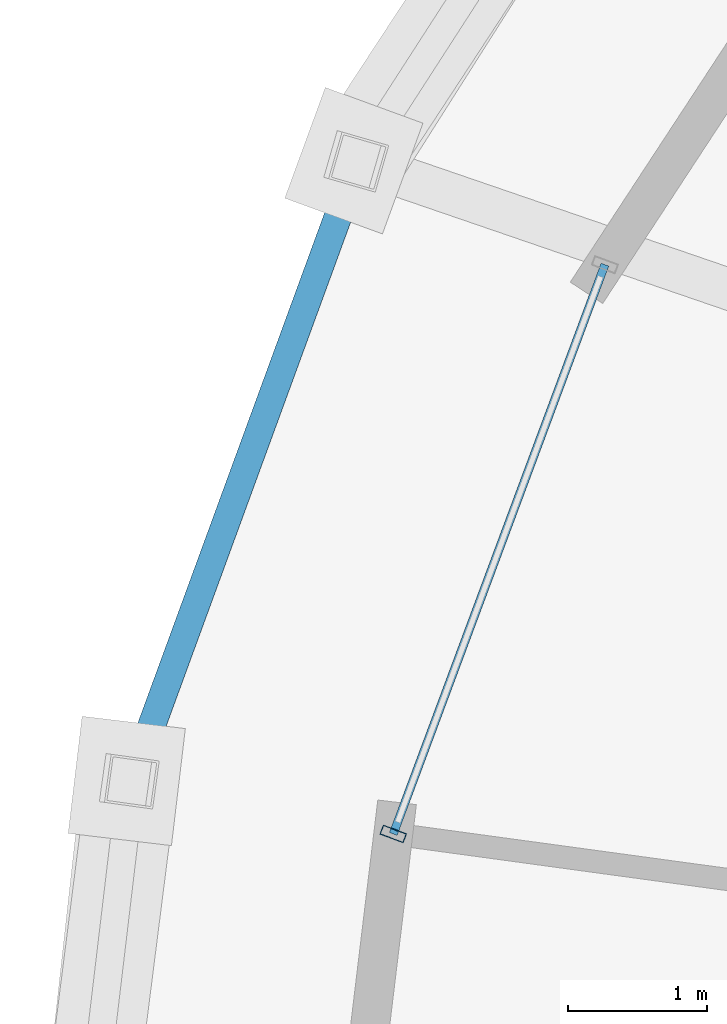
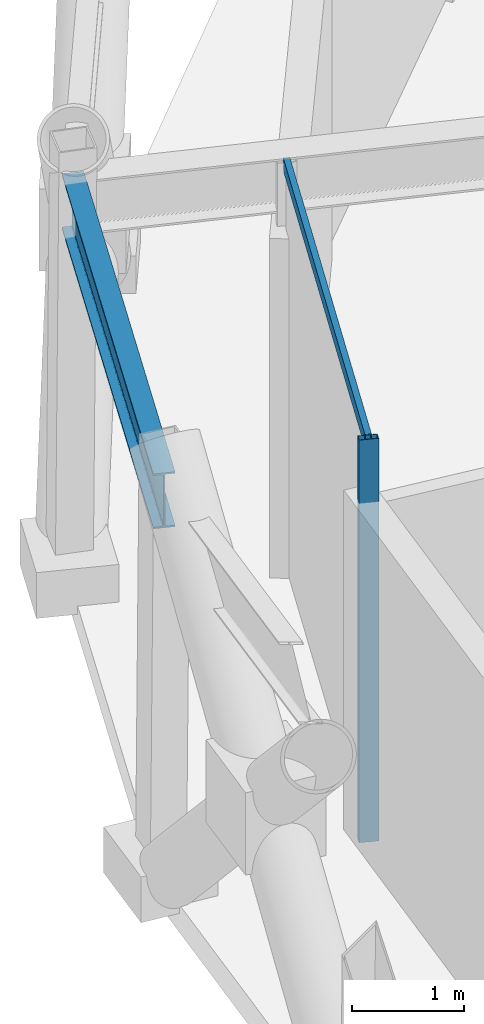
# One storey, part 9 of 39: 2 members, 1 beam, 1 element without a shape of its own.
"""IFC4 building model written with IfcOpenShell, lengths in metres."""

import ifcopenshell
import ifcopenshell.guid

model = None  # the IFC model being written
_history = None  # IfcOwnerHistory: only IFC2X3 demands one
_inside = {}  # id of a spatial element -> (the spatial element, [elements in it])
_under = {}  # id of a project, library or spatial element -> (it, [spatial elements below it])
_declared = {}  # id of a project -> (the project, [libraries it declares])
_typed = {}  # id of a type object -> (the type object, [elements of that type])
_made_of = {}  # id of a material, layer set ... -> (it, [elements and type objects made of it])


def new_model(schema):
    """Start an empty IFC model of exactly this schema.

    Asked for "IFC4X3", IfcOpenShell would pick the latest addendum, in which some entities
    have other attributes; the version numbers below select the first issue.
    IFC2X3 requires an IfcOwnerHistory on every rooted entity: one is made here for all.
    """
    global model, _history
    if schema == "IFC4X3":
        model = ifcopenshell.file(schema_version=(4, 3, 0, 0))
    else:
        model = ifcopenshell.file(schema=schema)
    _inside.clear()
    _under.clear()
    _declared.clear()
    _typed.clear()
    _made_of.clear()
    _history = None
    if model.schema == "IFC2X3":
        org = make("IfcOrganization", Name="unknown")
        user = make(
            "IfcPersonAndOrganization",
            ThePerson=make("IfcPerson", FamilyName="unknown"),
            TheOrganization=org,
        )
        app = make(
            "IfcApplication",
            ApplicationDeveloper=org,
            Version="unknown",
            ApplicationFullName="unknown",
            ApplicationIdentifier="unknown",
        )
        _history = make(
            "IfcOwnerHistory",
            OwningUser=user,
            OwningApplication=app,
            ChangeAction="ADDED",
            CreationDate=0,
        )
    return model


def make(cls, **values):
    """One entity of the class cls with the attributes given. An attribute that is None is left unset."""
    return model.create_entity(
        cls, **{name: value for name, value in values.items() if value is not None}
    )


def rooted(cls, **values):
    """An entity with a GlobalId (a new one), such as an element, a storey or a relation."""
    return make(cls, GlobalId=ifcopenshell.guid.new(), OwnerHistory=_history, **values)


def si_unit(unit_type, name, prefix=None):
    """IfcSIUnit, for example si_unit("LENGTHUNIT", "METRE", prefix="MILLI")."""
    return make("IfcSIUnit", UnitType=unit_type, Prefix=prefix, Name=name)


def assignment(units):
    """IfcUnitAssignment: the units of a project."""
    return None if units is None else make("IfcUnitAssignment", Units=units)


def point(xyz):
    """IfcCartesianPoint."""
    return None if xyz is None else make("IfcCartesianPoint", Coordinates=xyz)


def direction(xyz):
    """IfcDirection."""
    return None if xyz is None else make("IfcDirection", DirectionRatios=xyz)


def frame(location, z_axis=None, x_axis=None):
    """IfcAxis2Placement3D, a coordinate frame: its origin and axes. An axis left out is left unset."""
    return make(
        "IfcAxis2Placement3D",
        Location=point(location),
        Axis=direction(z_axis),
        RefDirection=direction(x_axis),
    )


def frame_2d(location, x_axis=None):
    """IfcAxis2Placement2D, a coordinate frame in the plane: its origin and x axis."""
    return make(
        "IfcAxis2Placement2D", Location=point(location), RefDirection=direction(x_axis)
    )


def origin():
    """The frame at (0, 0, 0) with its axes left unset."""
    return frame((0.0, 0.0, 0.0))


def origin_2d():
    """The frame at (0, 0) in the plane with its x axis left unset."""
    return frame_2d((0.0, 0.0))


def place(relative_to, where):
    """IfcLocalPlacement: puts the frame where relative to a parent placement (None: the world)."""
    return make(
        "IfcLocalPlacement", PlacementRelTo=relative_to, RelativePlacement=where
    )


def context(
    kind, dimensions, precision=None, world=None, true_north=None, identifier=None
):
    """IfcGeometricRepresentationContext, for example the 3D "Model" context."""
    return make(
        "IfcGeometricRepresentationContext",
        ContextIdentifier=identifier,
        ContextType=kind,
        CoordinateSpaceDimension=dimensions,
        Precision=precision,
        WorldCoordinateSystem=world,
        TrueNorth=true_north,
    )


def subcontext(parent, identifier, kind, view, scale=None):
    """IfcGeometricRepresentationSubContext, for example "Body" below "Model"."""
    return make(
        "IfcGeometricRepresentationSubContext",
        ContextIdentifier=identifier,
        ContextType=kind,
        ParentContext=parent,
        TargetScale=scale,
        TargetView=view,
    )


def project(units=None, contexts=None):
    """IfcProject with its units and contexts."""
    return rooted(
        "IfcProject",
        Name="project",
        RepresentationContexts=contexts,
        UnitsInContext=assignment(units),
    )


def spatial(cls, under=None, at=None, **own):
    """A site, building, storey or space (cls), placed at a placement, below another one or the project."""
    s = rooted(cls, ObjectPlacement=at, **own)
    if under is not None:
        _under.setdefault(under.id(), (under, []))[1].append(s)
    return s


def profile(cls, at=None, kind="AREA", **sizes):
    """A parametric profile (cls). Its sizes go by their IFC names, for example OverallWidth=200.0."""
    return make(cls, ProfileType=kind, Position=at, **sizes)


def hollow_rectangle(**sizes):
    """IfcRectangleHollowProfileDef."""
    return profile("IfcRectangleHollowProfileDef", **sizes)


def i_section(**sizes):
    """IfcIShapeProfileDef."""
    return profile("IfcIShapeProfileDef", **sizes)


def extrude(swept, where, along, depth):
    """IfcExtrudedAreaSolid: the profile swept, set in the frame where, extruded along a direction by depth."""
    return make(
        "IfcExtrudedAreaSolid",
        SweptArea=swept,
        Position=where,
        ExtrudedDirection=direction(along),
        Depth=depth,
    )


def shape(context_of_items, identifier, shape_type, items):
    """IfcShapeRepresentation: the items that make up one representation, for example the "Body"."""
    return make(
        "IfcShapeRepresentation",
        ContextOfItems=context_of_items,
        RepresentationIdentifier=identifier,
        RepresentationType=shape_type,
        Items=items,
    )


def material(Name=None, Category=None):
    """IfcMaterial."""
    return make("IfcMaterial", Name=Name, Category=Category)


def layer(
    of_material, thickness, ventilated=None, Name=None, Category=None, Priority=None
):
    """IfcMaterialLayer: one layer of a wall or slab, of a material (None: an air gap)."""
    return make(
        "IfcMaterialLayer",
        Material=of_material,
        LayerThickness=thickness,
        IsVentilated=ventilated,
        Name=Name,
        Category=Category,
        Priority=Priority,
    )


def layer_set(layers, Name=None):
    """IfcMaterialLayerSet."""
    return make("IfcMaterialLayerSet", MaterialLayers=layers, LayerSetName=Name)


def material_profile(
    of_material, cross_section, Name=None, Category=None, Priority=None
):
    """IfcMaterialProfile: a cross section and its material."""
    return make(
        "IfcMaterialProfile",
        Name=Name,
        Material=of_material,
        Profile=cross_section,
        Priority=Priority,
        Category=Category,
    )


def profile_set(profiles, Name=None, composite=None):
    """IfcMaterialProfileSet."""
    return make(
        "IfcMaterialProfileSet",
        Name=Name,
        MaterialProfiles=profiles,
        CompositeProfile=composite,
    )


def made_of(thing, what):
    """Note that an element or type object is made of a material, layer set ...; save() writes the relation."""
    if what is not None:
        _made_of.setdefault(what.id(), (what, []))[1].append(thing)
    return thing


def type_object(cls, material=None, **own):
    """A type object (cls), such as IfcWallType, which elements share."""
    return made_of(rooted(cls, **own), material)


def element(
    cls,
    number,
    at=None,
    inside=None,
    cuts=None,
    type_object=None,
    material=None,
    context=None,
    identifier="Body",
    shape_type=None,
    held_by="IfcProductDefinitionShape",
    body=None,
    shapes=None,
    **own,
):
    """One element of the class cls, such as IfcWall. Its Tag is "e" and its number.

    at: its placement. inside: the storey or other place that contains it. cuts: it is an
    opening in that element (IfcRelVoidsElement). A single representation is given by context,
    identifier, shape_type and body (its items); several are given by shapes. held_by: the class
    of the entity that holds the representations. save() writes the other relations.
    """
    e = rooted(cls, Tag="e%d" % number, ObjectPlacement=at, **own)
    if body is not None:
        shapes = [shape(context, identifier, shape_type, body)]
    if shapes is not None:
        e.Representation = make(held_by, Representations=shapes)
    if inside is not None:
        _inside.setdefault(inside.id(), (inside, []))[1].append(e)
    if cuts is not None:
        rooted(
            "IfcRelVoidsElement", RelatingBuildingElement=cuts, RelatedOpeningElement=e
        )
    if type_object is not None:
        _typed.setdefault(type_object.id(), (type_object, []))[1].append(e)
    return made_of(e, material)


def aggregate(whole, parts):
    """IfcRelAggregates: a whole, such as a stair, and the parts it consists of."""
    return rooted("IfcRelAggregates", RelatingObject=whole, RelatedObjects=parts)


def save(model, path):
    """Write the relations noted so far, then the file.

    IfcRelAggregates (storeys below a building ...), IfcRelContainedInSpatialStructure (elements
    in a storey), IfcRelDefinesByType, IfcRelAssociatesMaterial and IfcRelDeclares: one each for
    every whole, place, type object, material and project.
    """
    for whole, parts in _under.values():
        aggregate(whole, parts)
    for where, things in _inside.values():
        rooted(
            "IfcRelContainedInSpatialStructure",
            RelatedElements=things,
            RelatingStructure=where,
        )
    for kind, things in _typed.values():
        rooted("IfcRelDefinesByType", RelatedObjects=things, RelatingType=kind)
    for what, things in _made_of.values():
        rooted("IfcRelAssociatesMaterial", RelatedObjects=things, RelatingMaterial=what)
    for by, libraries in _declared.values():
        rooted("IfcRelDeclares", RelatingContext=by, RelatedDefinitions=libraries)
    model.write(path)


model = new_model("IFC4")

# Units and contexts
model_context = context("Model", 3, precision=1e-05, world=origin(), true_north=direction((0.0, 1.0)))
body_context = subcontext(model_context, "Body", "Model", "MODEL_VIEW")
ifc_project = project(units=[si_unit("LENGTHUNIT", "METRE"), si_unit("AREAUNIT", "SQUARE_METRE"), si_unit("VOLUMEUNIT", "CUBIC_METRE"), si_unit("PLANEANGLEUNIT", "RADIAN"), si_unit("MASSUNIT", "GRAM", prefix="KILO")], contexts=[model_context])

# Site, building, storey
site_placement = place(None, origin())
site = spatial("IfcSite", under=ifc_project, at=site_placement, CompositionType="ELEMENT")
building_placement = place(site_placement, origin())
building = spatial("IfcBuilding", under=site, at=building_placement, Name="Veldorina Hangang Commons", CompositionType="ELEMENT")
storey_placement = place(building_placement, frame((0.0, 0.0, 106.0)))
storey = spatial("IfcBuildingStorey", under=building, at=storey_placement, Name="L27", CompositionType="ELEMENT", Elevation=106.0)

# Beam
ifc_material_1 = material(Name="Steel SM420-TMC", Category="steel")
ifc_material_profile_1 = material_profile(ifc_material_1, i_section(OverallWidth=0.199951171875, OverallDepth=0.60009765625, WebThickness=0.010986328125, FlangeThickness=0.01708984375, FilletRadius=0.01806640625, at=origin_2d()), Name="H-600x200x11x17")
ifc_profile_set_1 = profile_set([ifc_material_profile_1], Name="Steel SM420-TMC")
beam_type = type_object("IfcBeamType", Name="BM-RB600", PredefinedType="BEAM", material=ifc_profile_set_1)
beam_placement = place(storey_placement, frame((5.43798828125, 33.117431640625, 4.139892578125), z_axis=(-0.343748150279, -0.939061877184, 0.0), x_axis=(0.939061877184, -0.343748150279, 0.0)))
element("IfcBeam", 1, at=beam_placement, inside=storey, type_object=beam_type, Name="L27 perimeter hoop ring beam 14", PredefinedType="BEAM", context=body_context, shape_type="SweptSolid", body=[
    extrude(i_section(OverallWidth=0.199951171875, OverallDepth=0.60009765625, WebThickness=0.010986328125, FlangeThickness=0.01708984375, FilletRadius=0.01806640625, at=origin_2d()), origin(), (0.0, 0.0, 1.0), 4.75927734375),
])

# Curtain wall, members
ifc_material_2 = material(Name="Glass Acoustic Laminated", Category="glass")
ifc_layer = layer(ifc_material_2, 0.179931640625)
ifc_layer_set = layer_set([ifc_layer], Name="Glass Acoustic Laminated")
curtain_wall_type = type_object("IfcCurtainWallType", Name="CW-SYS-SKY", PredefinedType="NOTDEFINED", material=ifc_layer_set)
curtain_wall_placement = place(storey_placement, origin())
curtain_wall = element("IfcCurtainWall", 2, at=curtain_wall_placement, inside=storey, type_object=curtain_wall_type, Name="L27 unitised curtain wall CW-L27-R8", PredefinedType="NOTDEFINED")
ifc_material_3 = material(Name="Aluminium Anodized AA6063-T6", Category="aluminium")
ifc_material_profile_2 = material_profile(ifc_material_3, hollow_rectangle(XDim=0.070068359375, YDim=0.179931640625, WallThickness=0.00390625, at=origin_2d()), Name="ALU-RHS-180x70x4")
ifc_profile_set_2 = profile_set([ifc_material_profile_2], Name="Aluminium Anodized AA6063-T6")
member_type_1 = type_object("IfcMemberType", Name="CW-MUL-180", PredefinedType="MULLION", material=ifc_profile_set_2)
member_1_placement = place(storey_placement, frame((5.6923828125, 28.270263671875, 0.0), z_axis=(0.0, 0.0, 1.0), x_axis=(0.348457534124, 0.937324568606, 0.0)))
member_1 = element("IfcMember", 3, at=member_1_placement, type_object=member_type_1, Name="CW-L27-R8 vertical mullion 2", PredefinedType="MULLION", context=body_context, shape_type="SweptSolid", body=[
    extrude(hollow_rectangle(XDim=0.070068359375, YDim=0.179931640625, WallThickness=0.00390625, at=origin_2d()), origin(), (0.0, 0.0, 1.0), 4.39990234375),
])
ifc_material_profile_3 = material_profile(ifc_material_3, hollow_rectangle(XDim=0.06005859375, YDim=0.139892578125, WallThickness=0.00341796875, at=origin_2d()), Name="ALU-RHS-140x60x3.5")
ifc_profile_set_3 = profile_set([ifc_material_profile_3], Name="Aluminium Anodized AA6063-T6")
member_type_2 = type_object("IfcMemberType", Name="CW-TRN-140", PredefinedType="USERDEFINED", material=ifc_profile_set_3)
member_2_placement = place(storey_placement, frame((7.218994140625, 32.376220703125, 4.360107421875), z_axis=(-0.348495758453, -0.937310357534, 0.0), x_axis=(0.937310357534, -0.348495758453, 0.0)))
member_2 = element("IfcMember", 4, at=member_2_placement, type_object=member_type_2, Name="CW-L27-R8 facet 1 transom 1", ObjectType="TRANSOM", PredefinedType="USERDEFINED", context=body_context, shape_type="SweptSolid", body=[
    extrude(hollow_rectangle(XDim=0.06005859375, YDim=0.139892578125, WallThickness=0.00341796875, at=origin_2d()), origin(), (0.0, 0.0, 1.0), 4.380615234375),
])
aggregate(curtain_wall, [member_1, member_2])

save(model, "model.ifc")
